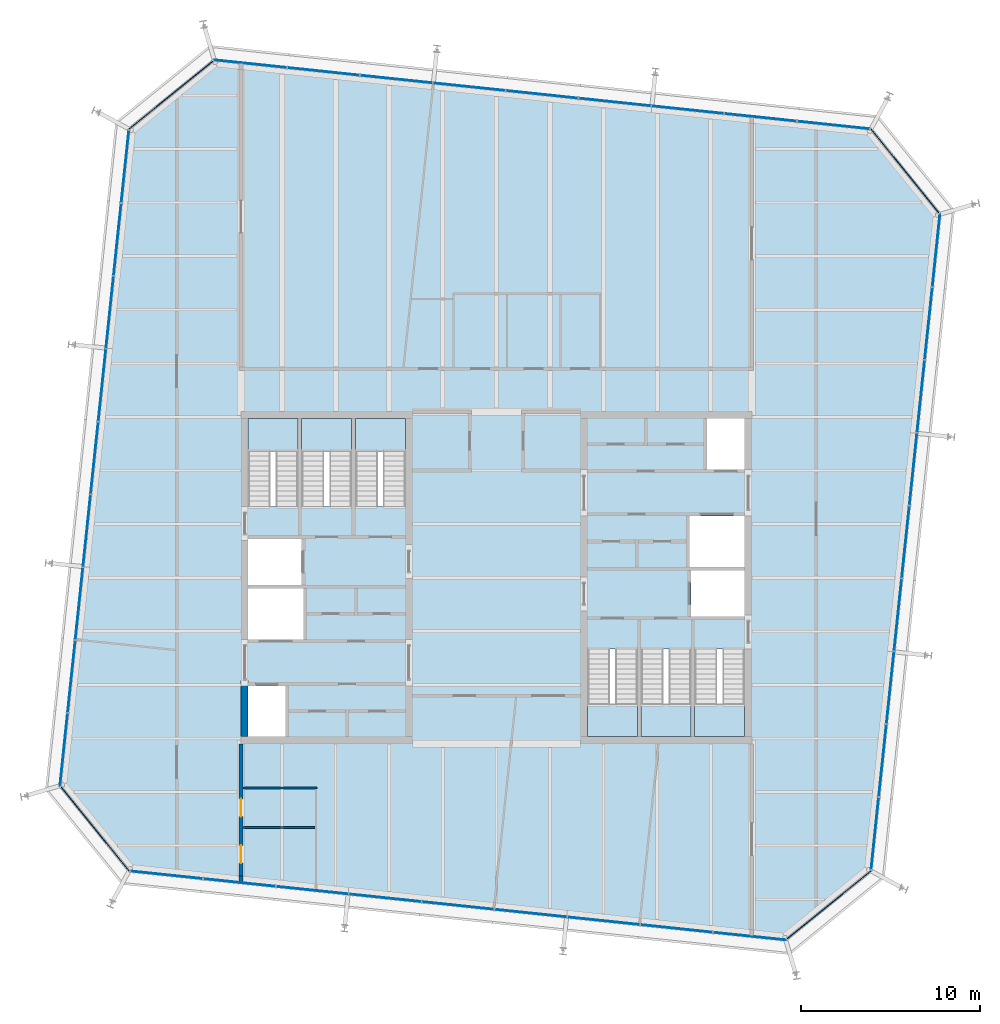
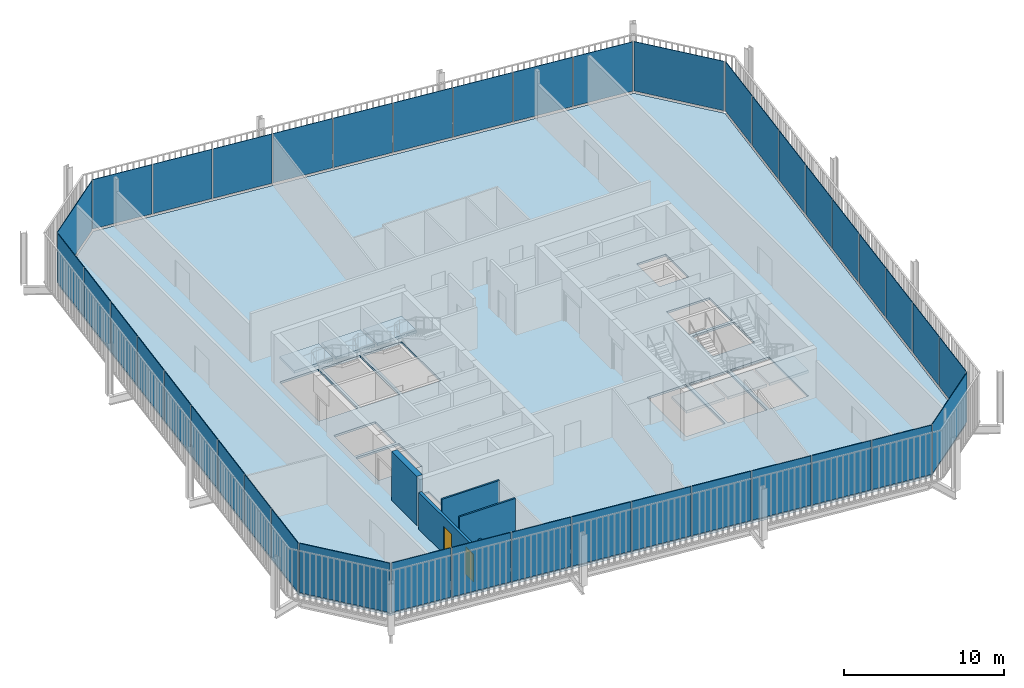
# One storey, part 15 of 20: 40 plates, 7 slabs, 5 walls, 2 doors, 2 openings, 14 elements without a shape of their own.
"""IFC4 building model written with IfcOpenShell, lengths in metres."""

from ifc_helpers import new_model, si_unit, direction, frame, frame_2d, origin, place, context, subcontext, project, spatial, polyline, rectangle, outline, extrude, material, layer, layer_set, type_object, element, fill, aggregate, save


model = new_model("IFC4")

# Units and contexts
model_context = context("Model", 3, precision=1e-05, world=origin(), true_north=direction((0.0, 1.0)))
body_context = subcontext(model_context, "Body", "Model", "MODEL_VIEW")
ifc_project = project(units=[si_unit("LENGTHUNIT", "METRE"), si_unit("AREAUNIT", "SQUARE_METRE"), si_unit("VOLUMEUNIT", "CUBIC_METRE"), si_unit("PLANEANGLEUNIT", "RADIAN"), si_unit("MASSUNIT", "GRAM", prefix="KILO")], contexts=[model_context])

# Site, building, storey
site_placement = place(None, origin())
site = spatial("IfcSite", under=ifc_project, at=site_placement, CompositionType="ELEMENT")
building_placement = place(site_placement, origin())
building = spatial("IfcBuilding", under=site, at=building_placement, Name="Millrace Tower", CompositionType="ELEMENT")
storey_placement = place(building_placement, frame((0.0, 0.0, 322.60009765625)))
storey = spatial("IfcBuildingStorey", under=building, at=storey_placement, Name="L74", CompositionType="ELEMENT", Elevation=322.60009765625)

# Curtain wall, plate
ifc_material_1 = material(Name="Aluminium and glass", Category="aluminium")
ifc_layer_1 = layer(ifc_material_1, 0.14990234375)
ifc_layer_set_1 = layer_set([ifc_layer_1], Name="Aluminium and glass")
curtain_wall_type = type_object("IfcCurtainWallType", Name="CW-1 office vision curtain wall", PredefinedType="NOTDEFINED", material=ifc_layer_set_1)
placement_1 = place(storey_placement, origin())
curtain_wall_1 = element("IfcCurtainWall", 1, at=placement_1, inside=storey, type_object=curtain_wall_type, Name="Curtain wall E-F01 L74", PredefinedType="NOTDEFINED")
ifc_material_2 = material(Name="Glass", Category="glass")
ifc_layer_2 = layer(ifc_material_2, 0.0439453125)
ifc_layer_set_2 = layer_set([ifc_layer_2], Name="Glass")
plate_type = type_object("IfcPlateType", Name="CW-1 office vision curtain wall triple-glazed vision panel", PredefinedType="CURTAIN_PANEL", material=ifc_layer_set_2)
placement_2 = place(storey_placement, frame((0.0, 0.0, 0.139892578125)))
plate_1 = element("IfcPlate", 2, at=placement_2, type_object=plate_type, Name="CW1 panel E-F01.1", PredefinedType="CURTAIN_PANEL", context=body_context, shape_type="SweptSolid", body=[
    extrude(outline(polyline([(-24.388427734375, -11.732421875), (-20.5771484375, -16.439208984375), (-20.554443359375, -16.397216796875), (-24.354248046875, -11.704833984375), (-24.388427734375, -11.732421875)])), origin(), (0.0, 0.0, 1.0), 3.760009765625),
])
aggregate(curtain_wall_1, [plate_1])

# Curtain wall, plates
curtain_wall_2 = element("IfcCurtainWall", 3, at=placement_1, inside=storey, type_object=curtain_wall_type, Name="Curtain wall E-F02 L74", PredefinedType="NOTDEFINED")
plate_2 = element("IfcPlate", 4, at=placement_2, type_object=plate_type, Name="CW1 panel E-F02.1", PredefinedType="CURTAIN_PANEL", context=body_context, shape_type="SweptSolid", body=[
    extrude(outline(polyline([(-20.472412109375, -16.4501953125), (-16.45947265625, -16.871826171875), (-16.454833984375, -16.828125), (-20.4677734375, -16.40625), (-20.472412109375, -16.4501953125)])), origin(), (0.0, 0.0, 1.0), 3.760009765625),
])
plate_3 = element("IfcPlate", 5, at=placement_2, type_object=plate_type, Name="CW1 panel E-F02.2", PredefinedType="CURTAIN_PANEL", context=body_context, shape_type="SweptSolid", body=[
    extrude(outline(polyline([(-16.39501953125, -16.878662109375), (-12.382080078125, -17.300537109375), (-12.37744140625, -17.256591796875), (-16.390380859375, -16.8349609375), (-16.39501953125, -16.878662109375)])), origin(), (0.0, 0.0, 1.0), 3.760009765625),
])
plate_4 = element("IfcPlate", 6, at=placement_2, type_object=plate_type, Name="CW1 panel E-F02.3", PredefinedType="CURTAIN_PANEL", context=body_context, shape_type="SweptSolid", body=[
    extrude(outline(polyline([(-12.3173828125, -17.30712890625), (-8.304443359375, -17.72900390625), (-8.2998046875, -17.685302734375), (-12.312744140625, -17.263427734375), (-12.3173828125, -17.30712890625)])), origin(), (0.0, 0.0, 1.0), 3.760009765625),
])
plate_5 = element("IfcPlate", 7, at=placement_2, type_object=plate_type, Name="CW1 panel E-F02.4", PredefinedType="CURTAIN_PANEL", context=body_context, shape_type="SweptSolid", body=[
    extrude(outline(polyline([(-8.23974609375, -17.73583984375), (-4.22705078125, -18.157470703125), (-4.222412109375, -18.11376953125), (-8.235107421875, -17.692138671875), (-8.23974609375, -17.73583984375)])), origin(), (0.0, 0.0, 1.0), 3.760009765625),
])
plate_6 = element("IfcPlate", 8, at=placement_2, type_object=plate_type, Name="CW1 panel E-F02.5", PredefinedType="CURTAIN_PANEL", context=body_context, shape_type="SweptSolid", body=[
    extrude(outline(polyline([(-4.162353515625, -18.164306640625), (-0.1494140625, -18.586181640625), (-0.144775390625, -18.54248046875), (-4.15771484375, -18.12060546875), (-4.162353515625, -18.164306640625)])), origin(), (0.0, 0.0, 1.0), 3.760009765625),
])
plate_7 = element("IfcPlate", 9, at=placement_2, type_object=plate_type, Name="CW1 panel E-F02.6", PredefinedType="CURTAIN_PANEL", context=body_context, shape_type="SweptSolid", body=[
    extrude(outline(polyline([(-0.084716796875, -18.593017578125), (3.92822265625, -19.0146484375), (3.932861328125, -18.970947265625), (-0.080078125, -18.549072265625), (-0.084716796875, -18.593017578125)])), origin(), (0.0, 0.0, 1.0), 3.760009765625),
])
plate_8 = element("IfcPlate", 10, at=placement_2, type_object=plate_type, Name="CW1 panel E-F02.7", PredefinedType="CURTAIN_PANEL", context=body_context, shape_type="SweptSolid", body=[
    extrude(outline(polyline([(3.99267578125, -19.021484375), (8.005615234375, -19.443359375), (8.01025390625, -19.3994140625), (3.997314453125, -18.977783203125), (3.99267578125, -19.021484375)])), origin(), (0.0, 0.0, 1.0), 3.760009765625),
])
plate_9 = element("IfcPlate", 11, at=placement_2, type_object=plate_type, Name="CW1 panel E-F02.8", PredefinedType="CURTAIN_PANEL", context=body_context, shape_type="SweptSolid", body=[
    extrude(outline(polyline([(8.0703125, -19.449951171875), (12.083251953125, -19.871826171875), (12.087890625, -19.828125), (8.074951171875, -19.40625), (8.0703125, -19.449951171875)])), origin(), (0.0, 0.0, 1.0), 3.760009765625),
])
plate_10 = element("IfcPlate", 12, at=placement_2, type_object=plate_type, Name="CW1 panel E-F02.9", PredefinedType="CURTAIN_PANEL", context=body_context, shape_type="SweptSolid", body=[
    extrude(outline(polyline([(12.14794921875, -19.878662109375), (16.20068359375, -20.3046875), (16.187255859375, -20.259033203125), (12.152587890625, -19.8349609375), (12.14794921875, -19.878662109375)])), origin(), (0.0, 0.0, 1.0), 3.760009765625),
])
aggregate(curtain_wall_2, [plate_2, plate_3, plate_4, plate_5, plate_6, plate_7, plate_8, plate_9, plate_10])

# Curtain wall, plate
curtain_wall_3 = element("IfcCurtainWall", 13, at=placement_1, inside=storey, type_object=curtain_wall_type, Name="Curtain wall E-F03 L74", PredefinedType="NOTDEFINED")
plate_11 = element("IfcPlate", 14, at=placement_2, type_object=plate_type, Name="CW1 panel E-F03.1", PredefinedType="CURTAIN_PANEL", context=body_context, shape_type="SweptSolid", body=[
    extrude(outline(polyline([(16.282470703125, -20.23828125), (20.989013671875, -16.427001953125), (20.947265625, -16.404296875), (16.2548828125, -20.2041015625), (16.282470703125, -20.23828125)])), origin(), (0.0, 0.0, 1.0), 3.760009765625),
])
aggregate(curtain_wall_3, [plate_11])

# Curtain wall, plates
curtain_wall_4 = element("IfcCurtainWall", 15, at=placement_1, inside=storey, type_object=curtain_wall_type, Name="Curtain wall E-F04 L74", PredefinedType="NOTDEFINED")
plate_12 = element("IfcPlate", 16, at=placement_2, type_object=plate_type, Name="CW1 panel E-F04.1", PredefinedType="CURTAIN_PANEL", context=body_context, shape_type="SweptSolid", body=[
    extrude(outline(polyline([(21.0, -16.322509765625), (21.421875, -12.3095703125), (21.378173828125, -12.304931640625), (20.956298828125, -16.31787109375), (21.0, -16.322509765625)])), origin(), (0.0, 0.0, 1.0), 3.760009765625),
])
plate_13 = element("IfcPlate", 17, at=placement_2, type_object=plate_type, Name="CW1 panel E-F04.2", PredefinedType="CURTAIN_PANEL", context=body_context, shape_type="SweptSolid", body=[
    extrude(outline(polyline([(21.4287109375, -12.244873046875), (21.850341796875, -8.23193359375), (21.806640625, -8.227294921875), (21.385009765625, -12.240234375), (21.4287109375, -12.244873046875)])), origin(), (0.0, 0.0, 1.0), 3.760009765625),
])
plate_14 = element("IfcPlate", 18, at=placement_2, type_object=plate_type, Name="CW1 panel E-F04.3", PredefinedType="CURTAIN_PANEL", context=body_context, shape_type="SweptSolid", body=[
    extrude(outline(polyline([(21.857177734375, -8.16748046875), (22.279052734375, -4.154541015625), (22.2353515625, -4.14990234375), (21.8134765625, -8.162841796875), (21.857177734375, -8.16748046875)])), origin(), (0.0, 0.0, 1.0), 3.760009765625),
])
plate_15 = element("IfcPlate", 19, at=placement_2, type_object=plate_type, Name="CW1 panel E-F04.4", PredefinedType="CURTAIN_PANEL", context=body_context, shape_type="SweptSolid", body=[
    extrude(outline(polyline([(22.285888671875, -4.08984375), (22.70751953125, -0.076904296875), (22.663818359375, -0.072265625), (22.241943359375, -4.085205078125), (22.285888671875, -4.08984375)])), origin(), (0.0, 0.0, 1.0), 3.760009765625),
])
plate_16 = element("IfcPlate", 20, at=placement_2, type_object=plate_type, Name="CW1 panel E-F04.5", PredefinedType="CURTAIN_PANEL", context=body_context, shape_type="SweptSolid", body=[
    extrude(outline(polyline([(22.71435546875, -0.01220703125), (23.13623046875, 4.00048828125), (23.09228515625, 4.005126953125), (22.670654296875, -0.007568359375), (22.71435546875, -0.01220703125)])), origin(), (0.0, 0.0, 1.0), 3.760009765625),
])
plate_17 = element("IfcPlate", 21, at=placement_2, type_object=plate_type, Name="CW1 panel E-F04.6", PredefinedType="CURTAIN_PANEL", context=body_context, shape_type="SweptSolid", body=[
    extrude(outline(polyline([(23.142822265625, 4.065185546875), (23.564697265625, 8.078125), (23.52099609375, 8.082763671875), (23.09912109375, 4.06982421875), (23.142822265625, 4.065185546875)])), origin(), (0.0, 0.0, 1.0), 3.760009765625),
])
plate_18 = element("IfcPlate", 22, at=placement_2, type_object=plate_type, Name="CW1 panel E-F04.7", PredefinedType="CURTAIN_PANEL", context=body_context, shape_type="SweptSolid", body=[
    extrude(outline(polyline([(23.571533203125, 8.142822265625), (23.9931640625, 12.15576171875), (23.949462890625, 12.160400390625), (23.52783203125, 8.1474609375), (23.571533203125, 8.142822265625)])), origin(), (0.0, 0.0, 1.0), 3.760009765625),
])
plate_19 = element("IfcPlate", 23, at=placement_2, type_object=plate_type, Name="CW1 panel E-F04.8", PredefinedType="CURTAIN_PANEL", context=body_context, shape_type="SweptSolid", body=[
    extrude(outline(polyline([(24.0, 12.22021484375), (24.421875, 16.233154296875), (24.378173828125, 16.23779296875), (23.956298828125, 12.224853515625), (24.0, 12.22021484375)])), origin(), (0.0, 0.0, 1.0), 3.760009765625),
])
plate_20 = element("IfcPlate", 24, at=placement_2, type_object=plate_type, Name="CW1 panel E-F04.9", PredefinedType="CURTAIN_PANEL", context=body_context, shape_type="SweptSolid", body=[
    extrude(outline(polyline([(24.4287109375, 16.2978515625), (24.8544921875, 20.350830078125), (24.808837890625, 20.337158203125), (24.384765625, 16.302490234375), (24.4287109375, 16.2978515625)])), origin(), (0.0, 0.0, 1.0), 3.760009765625),
])
aggregate(curtain_wall_4, [plate_12, plate_13, plate_14, plate_15, plate_16, plate_17, plate_18, plate_19, plate_20])

# Curtain wall, plate
curtain_wall_5 = element("IfcCurtainWall", 25, at=placement_1, inside=storey, type_object=curtain_wall_type, Name="Curtain wall E-F05 L74", PredefinedType="NOTDEFINED")
plate_21 = element("IfcPlate", 26, at=placement_2, type_object=plate_type, Name="CW1 panel E-F05.1", PredefinedType="CURTAIN_PANEL", context=body_context, shape_type="SweptSolid", body=[
    extrude(outline(polyline([(24.788330078125, 20.432373046875), (20.97705078125, 25.13916015625), (20.954345703125, 25.09716796875), (24.754150390625, 20.40478515625), (24.788330078125, 20.432373046875)])), origin(), (0.0, 0.0, 1.0), 3.760009765625),
])
aggregate(curtain_wall_5, [plate_21])

# Curtain wall, plates
curtain_wall_6 = element("IfcCurtainWall", 27, at=placement_1, inside=storey, type_object=curtain_wall_type, Name="Curtain wall E-F06 L74", PredefinedType="NOTDEFINED")
plate_22 = element("IfcPlate", 28, at=placement_2, type_object=plate_type, Name="CW1 panel E-F06.1", PredefinedType="CURTAIN_PANEL", context=body_context, shape_type="SweptSolid", body=[
    extrude(outline(polyline([(20.87255859375, 25.150146484375), (16.859619140625, 25.57177734375), (16.85498046875, 25.528076171875), (20.867919921875, 25.1064453125), (20.87255859375, 25.150146484375)])), origin(), (0.0, 0.0, 1.0), 3.760009765625),
])
plate_23 = element("IfcPlate", 29, at=placement_2, type_object=plate_type, Name="CW1 panel E-F06.2", PredefinedType="CURTAIN_PANEL", context=body_context, shape_type="SweptSolid", body=[
    extrude(outline(polyline([(16.794921875, 25.57861328125), (12.781982421875, 26.00048828125), (12.77734375, 25.956787109375), (16.790283203125, 25.534912109375), (16.794921875, 25.57861328125)])), origin(), (0.0, 0.0, 1.0), 3.760009765625),
])
plate_24 = element("IfcPlate", 30, at=placement_2, type_object=plate_type, Name="CW1 panel E-F06.3", PredefinedType="CURTAIN_PANEL", context=body_context, shape_type="SweptSolid", body=[
    extrude(outline(polyline([(12.71728515625, 26.00732421875), (8.70458984375, 26.428955078125), (8.699951171875, 26.38525390625), (12.712646484375, 25.96337890625), (12.71728515625, 26.00732421875)])), origin(), (0.0, 0.0, 1.0), 3.760009765625),
])
plate_25 = element("IfcPlate", 31, at=placement_2, type_object=plate_type, Name="CW1 panel E-F06.4", PredefinedType="CURTAIN_PANEL", context=body_context, shape_type="SweptSolid", body=[
    extrude(outline(polyline([(8.639892578125, 26.435791015625), (4.626953125, 26.857666015625), (4.622314453125, 26.813720703125), (8.63525390625, 26.39208984375), (8.639892578125, 26.435791015625)])), origin(), (0.0, 0.0, 1.0), 3.760009765625),
])
plate_26 = element("IfcPlate", 32, at=placement_2, type_object=plate_type, Name="CW1 panel E-F06.5", PredefinedType="CURTAIN_PANEL", context=body_context, shape_type="SweptSolid", body=[
    extrude(outline(polyline([(4.562255859375, 26.8642578125), (0.54931640625, 27.2861328125), (0.544677734375, 27.242431640625), (4.5576171875, 26.820556640625), (4.562255859375, 26.8642578125)])), origin(), (0.0, 0.0, 1.0), 3.760009765625),
])
plate_27 = element("IfcPlate", 33, at=placement_2, type_object=plate_type, Name="CW1 panel E-F06.6", PredefinedType="CURTAIN_PANEL", context=body_context, shape_type="SweptSolid", body=[
    extrude(outline(polyline([(0.48486328125, 27.29296875), (-3.528076171875, 27.714599609375), (-3.53271484375, 27.6708984375), (0.480224609375, 27.249267578125), (0.48486328125, 27.29296875)])), origin(), (0.0, 0.0, 1.0), 3.760009765625),
])
plate_28 = element("IfcPlate", 34, at=placement_2, type_object=plate_type, Name="CW1 panel E-F06.7", PredefinedType="CURTAIN_PANEL", context=body_context, shape_type="SweptSolid", body=[
    extrude(outline(polyline([(-3.5927734375, 27.721435546875), (-7.605712890625, 28.143310546875), (-7.6103515625, 28.099609375), (-3.597412109375, 27.677734375), (-3.5927734375, 27.721435546875)])), origin(), (0.0, 0.0, 1.0), 3.760009765625),
])
plate_29 = element("IfcPlate", 35, at=placement_2, type_object=plate_type, Name="CW1 panel E-F06.8", PredefinedType="CURTAIN_PANEL", context=body_context, shape_type="SweptSolid", body=[
    extrude(outline(polyline([(-7.67041015625, 28.150146484375), (-11.68310546875, 28.57177734375), (-11.687744140625, 28.528076171875), (-7.675048828125, 28.106201171875), (-7.67041015625, 28.150146484375)])), origin(), (0.0, 0.0, 1.0), 3.760009765625),
])
plate_30 = element("IfcPlate", 36, at=placement_2, type_object=plate_type, Name="CW1 panel E-F06.9", PredefinedType="CURTAIN_PANEL", context=body_context, shape_type="SweptSolid", body=[
    extrude(outline(polyline([(-11.747802734375, 28.57861328125), (-15.80078125, 29.004638671875), (-15.787109375, 28.958984375), (-11.75244140625, 28.534912109375), (-11.747802734375, 28.57861328125)])), origin(), (0.0, 0.0, 1.0), 3.760009765625),
])
aggregate(curtain_wall_6, [plate_22, plate_23, plate_24, plate_25, plate_26, plate_27, plate_28, plate_29, plate_30])

# Curtain wall, plate
curtain_wall_7 = element("IfcCurtainWall", 37, at=placement_1, inside=storey, type_object=curtain_wall_type, Name="Curtain wall E-F07 L74", PredefinedType="NOTDEFINED")
plate_31 = element("IfcPlate", 38, at=placement_2, type_object=plate_type, Name="CW1 panel E-F07.1", PredefinedType="CURTAIN_PANEL", context=body_context, shape_type="SweptSolid", body=[
    extrude(outline(polyline([(-15.882568359375, 28.9384765625), (-20.589111328125, 25.126953125), (-20.547119140625, 25.104248046875), (-15.854736328125, 28.904296875), (-15.882568359375, 28.9384765625)])), origin(), (0.0, 0.0, 1.0), 3.760009765625),
])
aggregate(curtain_wall_7, [plate_31])

# Curtain wall, plates
curtain_wall_8 = element("IfcCurtainWall", 39, at=placement_1, inside=storey, type_object=curtain_wall_type, Name="Curtain wall E-F08 L74", PredefinedType="NOTDEFINED")
plate_32 = element("IfcPlate", 40, at=placement_2, type_object=plate_type, Name="CW1 panel E-F08.1", PredefinedType="CURTAIN_PANEL", context=body_context, shape_type="SweptSolid", body=[
    extrude(outline(polyline([(-20.60009765625, 25.0224609375), (-21.02197265625, 21.009521484375), (-20.97802734375, 21.0048828125), (-20.556396484375, 25.017822265625), (-20.60009765625, 25.0224609375)])), origin(), (0.0, 0.0, 1.0), 3.760009765625),
])
plate_33 = element("IfcPlate", 41, at=placement_2, type_object=plate_type, Name="CW1 panel E-F08.2", PredefinedType="CURTAIN_PANEL", context=body_context, shape_type="SweptSolid", body=[
    extrude(outline(polyline([(-21.028564453125, 20.94482421875), (-21.450439453125, 16.93212890625), (-21.40673828125, 16.927490234375), (-20.98486328125, 20.9404296875), (-21.028564453125, 20.94482421875)])), origin(), (0.0, 0.0, 1.0), 3.760009765625),
])
plate_34 = element("IfcPlate", 42, at=placement_2, type_object=plate_type, Name="CW1 panel E-F08.3", PredefinedType="CURTAIN_PANEL", context=body_context, shape_type="SweptSolid", body=[
    extrude(outline(polyline([(-21.457275390625, 16.867431640625), (-21.87890625, 12.8544921875), (-21.835205078125, 12.849853515625), (-21.41357421875, 16.86279296875), (-21.457275390625, 16.867431640625)])), origin(), (0.0, 0.0, 1.0), 3.760009765625),
])
plate_35 = element("IfcPlate", 43, at=placement_2, type_object=plate_type, Name="CW1 panel E-F08.4", PredefinedType="CURTAIN_PANEL", context=body_context, shape_type="SweptSolid", body=[
    extrude(outline(polyline([(-21.8857421875, 12.789794921875), (-22.3076171875, 8.77685546875), (-22.263916015625, 8.772216796875), (-21.842041015625, 12.78515625), (-21.8857421875, 12.789794921875)])), origin(), (0.0, 0.0, 1.0), 3.760009765625),
])
plate_36 = element("IfcPlate", 44, at=placement_2, type_object=plate_type, Name="CW1 panel E-F08.5", PredefinedType="CURTAIN_PANEL", context=body_context, shape_type="SweptSolid", body=[
    extrude(outline(polyline([(-22.314453125, 8.71240234375), (-22.736083984375, 4.699462890625), (-22.6923828125, 4.69482421875), (-22.2705078125, 8.707763671875), (-22.314453125, 8.71240234375)])), origin(), (0.0, 0.0, 1.0), 3.760009765625),
])
plate_37 = element("IfcPlate", 45, at=placement_2, type_object=plate_type, Name="CW1 panel E-F08.6", PredefinedType="CURTAIN_PANEL", context=body_context, shape_type="SweptSolid", body=[
    extrude(outline(polyline([(-22.742919921875, 4.634765625), (-23.164794921875, 0.621826171875), (-23.120849609375, 0.6171875), (-22.69921875, 4.630126953125), (-22.742919921875, 4.634765625)])), origin(), (0.0, 0.0, 1.0), 3.760009765625),
])
plate_38 = element("IfcPlate", 46, at=placement_2, type_object=plate_type, Name="CW1 panel E-F08.7", PredefinedType="CURTAIN_PANEL", context=body_context, shape_type="SweptSolid", body=[
    extrude(outline(polyline([(-23.17138671875, 0.55712890625), (-23.59326171875, -3.45556640625), (-23.549560546875, -3.460205078125), (-23.127685546875, 0.552490234375), (-23.17138671875, 0.55712890625)])), origin(), (0.0, 0.0, 1.0), 3.760009765625),
])
plate_39 = element("IfcPlate", 47, at=placement_2, type_object=plate_type, Name="CW1 panel E-F08.8", PredefinedType="CURTAIN_PANEL", context=body_context, shape_type="SweptSolid", body=[
    extrude(outline(polyline([(-23.60009765625, -3.520263671875), (-24.021728515625, -7.533203125), (-23.97802734375, -7.537841796875), (-23.556396484375, -3.52490234375), (-23.60009765625, -3.520263671875)])), origin(), (0.0, 0.0, 1.0), 3.760009765625),
])
plate_40 = element("IfcPlate", 48, at=placement_2, type_object=plate_type, Name="CW1 panel E-F08.9", PredefinedType="CURTAIN_PANEL", context=body_context, shape_type="SweptSolid", body=[
    extrude(outline(polyline([(-24.028564453125, -7.597900390625), (-24.45458984375, -11.650634765625), (-24.408935546875, -11.63720703125), (-23.98486328125, -7.6025390625), (-24.028564453125, -7.597900390625)])), origin(), (0.0, 0.0, 1.0), 3.760009765625),
])
aggregate(curtain_wall_8, [plate_32, plate_33, plate_34, plate_35, plate_36, plate_37, plate_38, plate_39, plate_40])

# Slab
ifc_material_3 = material(Name="Concrete C35 on steel deck", Category="concrete")
ifc_layer_3 = layer(ifc_material_3, 0.159912109375)
ifc_layer_set_3 = layer_set([ifc_layer_3], Name="Concrete C35 on steel deck")
slab_type_1 = type_object("IfcSlabType", Name="Composite floor slab 160 mm", PredefinedType="FLOOR", material=ifc_layer_set_3)
slab_1_placement = place(storey_placement, frame((0.0, 0.0, -0.16015625)))
element("IfcSlab", 49, at=slab_1_placement, inside=storey, type_object=slab_type_1, Name="SL-E-L74-S1", PredefinedType="FLOOR", context=body_context, shape_type="SweptSolid", body=[
    extrude(outline(polyline([(-24.35400390625, -11.620849609375), (-20.52685546875, -16.346923828125), (16.1708984375, -20.203857421875), (20.896728515625, -16.376953125), (24.75390625, 20.32080078125), (20.927001953125, 25.046875), (-15.77099609375, 28.90380859375), (-20.496826171875, 25.076904296875), (-24.35400390625, -11.620849609375)]), holes=[polyline([(-13.89990234375, -8.89990234375), (-11.800048828125, -8.89990234375), (-11.800048828125, -6.050048828125), (-13.89990234375, -6.050048828125), (-13.89990234375, -8.89990234375)]), polyline([(-13.89990234375, -3.449951171875), (-10.800048828125, -3.449951171875), (-10.800048828125, -0.60009765625), (-13.89990234375, -0.60009765625), (-13.89990234375, -3.449951171875)]), polyline([(-13.89990234375, -0.39990234375), (-10.89990234375, -0.39990234375), (-10.89990234375, 2.179931640625), (-13.89990234375, 2.179931640625), (-13.89990234375, -0.39990234375)]), polyline([(-13.89990234375, 4.0), (-11.10009765625, 4.0), (-11.10009765625, 8.89990234375), (-13.89990234375, 8.89990234375), (-13.89990234375, 4.0)]), polyline([(-10.89990234375, 4.0), (-8.10009765625, 4.0), (-8.10009765625, 8.89990234375), (-10.89990234375, 8.89990234375), (-10.89990234375, 4.0)]), polyline([(-7.89990234375, 4.0), (-5.10009765625, 4.0), (-5.10009765625, 8.89990234375), (-7.89990234375, 8.89990234375), (-7.89990234375, 4.0)]), polyline([(11.800048828125, 6.050048828125), (13.89990234375, 6.050048828125), (13.89990234375, 8.89990234375), (11.800048828125, 8.89990234375), (11.800048828125, 6.050048828125)]), polyline([(10.800048828125, 0.60009765625), (13.89990234375, 0.60009765625), (13.89990234375, 3.449951171875), (10.800048828125, 3.449951171875), (10.800048828125, 0.60009765625)]), polyline([(10.89990234375, -2.179931640625), (13.89990234375, -2.179931640625), (13.89990234375, 0.39990234375), (10.89990234375, 0.39990234375), (10.89990234375, -2.179931640625)]), polyline([(11.10009765625, -8.89990234375), (13.89990234375, -8.89990234375), (13.89990234375, -4.0), (11.10009765625, -4.0), (11.10009765625, -8.89990234375)]), polyline([(8.10009765625, -8.89990234375), (10.89990234375, -8.89990234375), (10.89990234375, -4.0), (8.10009765625, -4.0), (8.10009765625, -8.89990234375)]), polyline([(5.10009765625, -8.89990234375), (7.89990234375, -8.89990234375), (7.89990234375, -4.0), (5.10009765625, -4.0), (5.10009765625, -8.89990234375)])]), origin(), (0.0, 0.0, 1.0), 0.16015625),
])

# Stair, slab
ifc_material_4 = material(Name="Concrete C35", Category="concrete")
stair_type = type_object("IfcStairType", Name="Exit stair", PredefinedType="HALF_TURN_STAIR", material=ifc_material_4)
stair_1 = element("IfcStair", 50, at=placement_1, inside=storey, type_object=stair_type, Name="Stair 1 W L74", PredefinedType="HALF_TURN_STAIR")
ifc_material_5 = material(Name="Concrete C40", Category="concrete")
ifc_layer_4 = layer(ifc_material_5, 0.199951171875)
ifc_layer_set_4 = layer_set([ifc_layer_4], Name="Concrete C40")
slab_type_2 = type_object("IfcSlabType", Name="Stair landing", PredefinedType="LANDING", material=ifc_layer_set_4)
placement_3 = place(storey_placement, frame((0.0, 0.0, 1.75)))
slab_2 = element("IfcSlab", 51, at=placement_3, type_object=slab_type_2, Name="ST12 landing 1", PredefinedType="LANDING", context=body_context, shape_type="SweptSolid", body=[
    extrude(outline(polyline([(-13.89990234375, 7.080078125), (-11.10009765625, 7.080078125), (-11.10009765625, 8.89990234375), (-13.89990234375, 8.89990234375), (-13.89990234375, 7.080078125)])), origin(), (0.0, 0.0, 1.0), 0.199951171875),
])
aggregate(stair_1, [slab_2])

stair_2 = element("IfcStair", 52, at=placement_1, inside=storey, type_object=stair_type, Name="Stair 2 W L74", PredefinedType="HALF_TURN_STAIR")
slab_3 = element("IfcSlab", 53, at=placement_3, type_object=slab_type_2, Name="ST12 landing 1", PredefinedType="LANDING", context=body_context, shape_type="SweptSolid", body=[
    extrude(outline(polyline([(-10.89990234375, 7.080078125), (-8.10009765625, 7.080078125), (-8.10009765625, 8.89990234375), (-10.89990234375, 8.89990234375), (-10.89990234375, 7.080078125)])), origin(), (0.0, 0.0, 1.0), 0.199951171875),
])
aggregate(stair_2, [slab_3])

stair_3 = element("IfcStair", 54, at=placement_1, inside=storey, type_object=stair_type, Name="Stair 3 W L74", PredefinedType="HALF_TURN_STAIR")
slab_4 = element("IfcSlab", 55, at=placement_3, type_object=slab_type_2, Name="ST12 landing 1", PredefinedType="LANDING", context=body_context, shape_type="SweptSolid", body=[
    extrude(outline(polyline([(-7.89990234375, 7.080078125), (-5.10009765625, 7.080078125), (-5.10009765625, 8.89990234375), (-7.89990234375, 8.89990234375), (-7.89990234375, 7.080078125)])), origin(), (0.0, 0.0, 1.0), 0.199951171875),
])
aggregate(stair_3, [slab_4])

stair_4 = element("IfcStair", 56, at=placement_1, inside=storey, type_object=stair_type, Name="Stair 1 E L74", PredefinedType="HALF_TURN_STAIR")
slab_5 = element("IfcSlab", 57, at=placement_3, type_object=slab_type_2, Name="ST12 landing 1", PredefinedType="LANDING", context=body_context, shape_type="SweptSolid", body=[
    extrude(outline(polyline([(11.10009765625, -8.89990234375), (13.89990234375, -8.89990234375), (13.89990234375, -7.080078125), (11.10009765625, -7.080078125), (11.10009765625, -8.89990234375)])), origin(), (0.0, 0.0, 1.0), 0.199951171875),
])
aggregate(stair_4, [slab_5])

stair_5 = element("IfcStair", 58, at=placement_1, inside=storey, type_object=stair_type, Name="Stair 2 E L74", PredefinedType="HALF_TURN_STAIR")
slab_6 = element("IfcSlab", 59, at=placement_3, type_object=slab_type_2, Name="ST12 landing 1", PredefinedType="LANDING", context=body_context, shape_type="SweptSolid", body=[
    extrude(outline(polyline([(8.10009765625, -8.89990234375), (10.89990234375, -8.89990234375), (10.89990234375, -7.080078125), (8.10009765625, -7.080078125), (8.10009765625, -8.89990234375)])), origin(), (0.0, 0.0, 1.0), 0.199951171875),
])
aggregate(stair_5, [slab_6])

stair_6 = element("IfcStair", 60, at=placement_1, inside=storey, type_object=stair_type, Name="Stair 3 E L74", PredefinedType="HALF_TURN_STAIR")
slab_7 = element("IfcSlab", 61, at=placement_3, type_object=slab_type_2, Name="ST12 landing 1", PredefinedType="LANDING", context=body_context, shape_type="SweptSolid", body=[
    extrude(outline(polyline([(5.10009765625, -8.89990234375), (7.89990234375, -8.89990234375), (7.89990234375, -7.080078125), (5.10009765625, -7.080078125), (5.10009765625, -8.89990234375)])), origin(), (0.0, 0.0, 1.0), 0.199951171875),
])
aggregate(stair_6, [slab_7])

# Walls
ifc_material_6 = material(Name="Concrete C60", Category="concrete")
ifc_layer_5 = layer(ifc_material_6, 0.39990234375)
ifc_layer_set_5 = layer_set([ifc_layer_5], Name="Concrete C60")
wall_type_1 = type_object("IfcWallType", Name="Core wall 400 Concrete C60", PredefinedType="SHEAR", material=ifc_layer_set_5)
wall_1_placement = place(storey_placement, frame((-14.10009765625, -8.89990234375, 0.0), z_axis=(0.0, 0.0, 1.0), x_axis=(0.0, 1.0, 0.0)))
element("IfcWall", 62, at=wall_1_placement, inside=storey, type_object=wall_type_1, Name="Core wall W L74", PredefinedType="SHEAR", context=body_context, shape_type="SweptSolid", body=[
    extrude(rectangle(XDim=3.14990234375, YDim=0.39990234375, at=frame_2d((1.574951171875, 0.0))), origin(), (0.0, 0.0, 1.0), 3.739990234375),
])
ifc_material_7 = material(Name="Masonry partition, fire-rated", Category="masonry")
ifc_layer_6 = layer(ifc_material_7, 0.199951171875)
ifc_layer_set_6 = layer_set([ifc_layer_6], Name="Masonry partition, fire-rated")
wall_type_2 = type_object("IfcWallType", Name="Corridor wall 200", PredefinedType="PARTITIONING", material=ifc_layer_set_6)
wall_2_placement = place(storey_placement, frame((-14.300048828125, -17.031494140625, 0.0), z_axis=(0.0, 0.0, 1.0), x_axis=(0.0, 1.0, 0.0)))
element("IfcWall", 63, at=wall_2_placement, inside=storey, type_object=wall_type_2, Name="Corridor wall L74", PredefinedType="PARTITIONING", context=body_context, shape_type="SweptSolid", body=[
    extrude(rectangle(XDim=0.339111328125, YDim=0.199951171875, at=frame_2d((0.16943359375, 0.0))), origin(), (0.0, 0.0, 1.0), 3.739990234375),
])

# Wall, openings, doors
wall_3_placement = place(storey_placement, frame((-14.300048828125, -16.6923828125, 0.0), z_axis=(0.0, 0.0, 1.0), x_axis=(0.0, 1.0, 0.0)))
wall_3 = element("IfcWall", 64, at=wall_3_placement, inside=storey, type_object=wall_type_2, Name="Corridor wall L74", PredefinedType="PARTITIONING", context=body_context, shape_type="SweptSolid", body=[
    extrude(rectangle(XDim=7.392333984375, YDim=0.199951171875, at=frame_2d((3.6962890625, 0.0))), origin(), (0.0, 0.0, 1.0), 2.812744140625),
])
opening_1_placement = place(wall_3_placement, frame((0.711181640625, 0.0, 0.0)))
opening_1 = element("IfcOpeningElement", 65, at=opening_1_placement, cuts=wall_3, Name="Opening 74-P009", PredefinedType="OPENING", context=body_context, shape_type="SweptSolid", body=[
    extrude(rectangle(XDim=1.0, YDim=2.10009765625, at=frame_2d((0.5, 1.050048828125))), frame((0.0, 0.10986328125, 0.0), z_axis=(0.0, -1.0, 0.0), x_axis=(1.0, 0.0, 0.0)), (0.0, 0.0, 1.0), 0.219970703125),
])
opening_2_placement = place(wall_3_placement, frame((3.311279296875, 0.0, 0.0)))
opening_2 = element("IfcOpeningElement", 66, at=opening_2_placement, cuts=wall_3, Name="Opening 74-P010", PredefinedType="OPENING", context=body_context, shape_type="SweptSolid", body=[
    extrude(rectangle(XDim=1.0, YDim=2.10009765625, at=frame_2d((0.5, 1.050048828125))), frame((0.0, 0.10986328125, 0.0), z_axis=(0.0, -1.0, 0.0), x_axis=(1.0, 0.0, 0.0)), (0.0, 0.0, 1.0), 0.219970703125),
])
ifc_material_8 = material(Name="Steel door set, fire-rated", Category="steel")
door_type = type_object("IfcDoorType", Name="Corridor door 1000 x 2100", OperationType="SINGLE_SWING_LEFT", PredefinedType="DOOR", material=ifc_material_8)
door_1_placement = place(opening_1_placement, frame((1.0, 0.0, 0.0), z_axis=(0.0, 0.0, 1.0), x_axis=(-1.0, 0.0, 0.0)))
door_1 = element("IfcDoor", 67, at=door_1_placement, inside=storey, type_object=door_type, Name="Door 74-P009", OperationType="SINGLE_SWING_RIGHT", OverallHeight=2.10009765625, OverallWidth=1.0, PredefinedType="DOOR", context=body_context, shape_type="SweptSolid", body=[
    extrude(rectangle(XDim=1.0, YDim=2.10009765625, at=frame_2d((0.5, 1.050048828125))), frame((0.0, 0.02490234375, 0.0), z_axis=(0.0, -1.0, 0.0), x_axis=(1.0, 0.0, 0.0)), (0.0, 0.0, 1.0), 0.050048828125),
])
fill(opening_1, door_1)
door_2_placement = place(opening_2_placement, frame((1.0, 0.0, 0.0), z_axis=(0.0, 0.0, 1.0), x_axis=(-1.0, 0.0, 0.0)))
door_2 = element("IfcDoor", 68, at=door_2_placement, inside=storey, type_object=door_type, Name="Door 74-P010", OperationType="SINGLE_SWING_LEFT", OverallHeight=2.10009765625, OverallWidth=1.0, PredefinedType="DOOR", context=body_context, shape_type="SweptSolid", body=[
    extrude(rectangle(XDim=1.0, YDim=2.10009765625, at=frame_2d((0.5, 1.050048828125))), frame((0.0, 0.02490234375, 0.0), z_axis=(0.0, -1.0, 0.0), x_axis=(1.0, 0.0, 0.0)), (0.0, 0.0, 1.0), 0.050048828125),
])
fill(opening_2, door_2)

# Walls
ifc_material_9 = material(Name="Gypsum board partition")
ifc_layer_7 = layer(ifc_material_9, 0.1201171875)
ifc_layer_set_7 = layer_set([ifc_layer_7], Name="Gypsum board partition")
wall_type_3 = type_object("IfcWallType", Name="Partition wall 120", PredefinedType="PARTITIONING", material=ifc_layer_set_7)
wall_4_placement = place(storey_placement, frame((-14.199951171875, -13.98095703125, 0.0), z_axis=(0.0, 0.0, 1.0), x_axis=(1.0, 0.0, 0.0)))
element("IfcWall", 69, at=wall_4_placement, inside=storey, type_object=wall_type_3, Name="Partition wall L74", PredefinedType="PARTITIONING", context=body_context, shape_type="SweptSolid", body=[
    extrude(rectangle(XDim=4.0400390625, YDim=0.1201171875, at=frame_2d((2.02001953125, 0.0))), origin(), (0.0, 0.0, 1.0), 3.739990234375),
])
wall_5_placement = place(storey_placement, frame((-14.199951171875, -11.781005859375, 0.0), z_axis=(0.0, 0.0, 1.0), x_axis=(1.0, 0.0, 0.0)))
element("IfcWall", 70, at=wall_5_placement, inside=storey, type_object=wall_type_3, Name="Partition wall L74", PredefinedType="PARTITIONING", context=body_context, shape_type="SweptSolid", body=[
    extrude(rectangle(XDim=4.159912109375, YDim=0.1201171875, at=frame_2d((2.080078125, 0.0))), origin(), (0.0, 0.0, 1.0), 3.739990234375),
])

save(model, "model.ifc")
